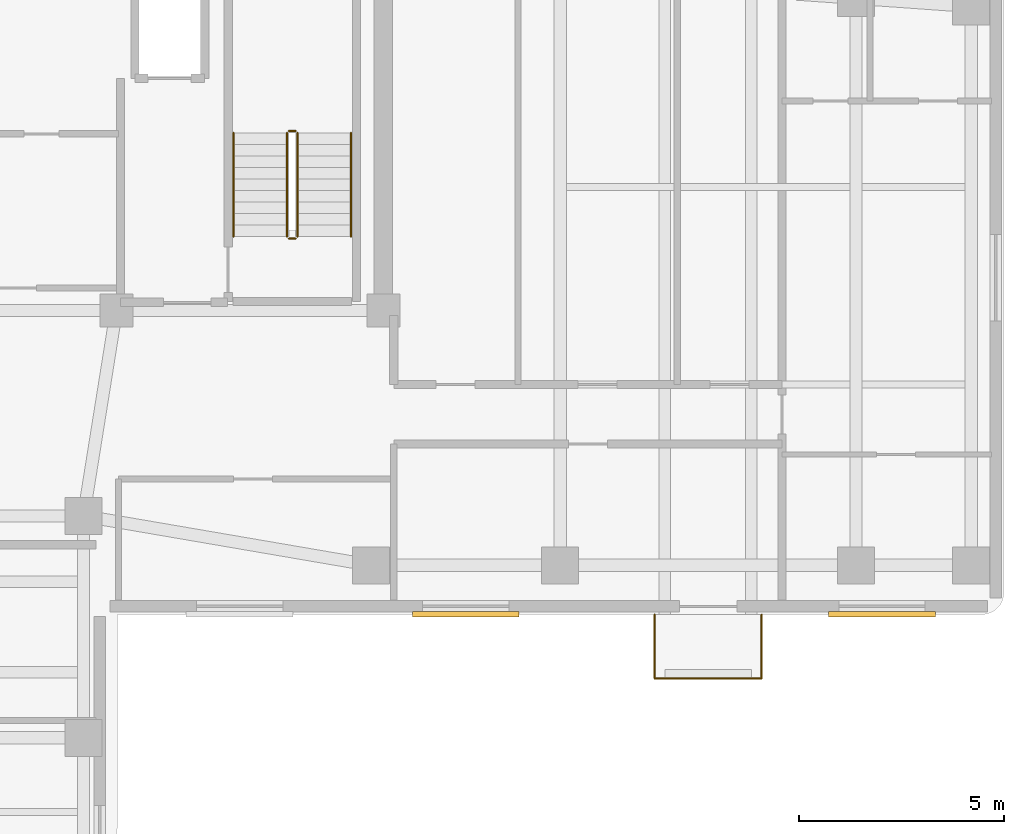
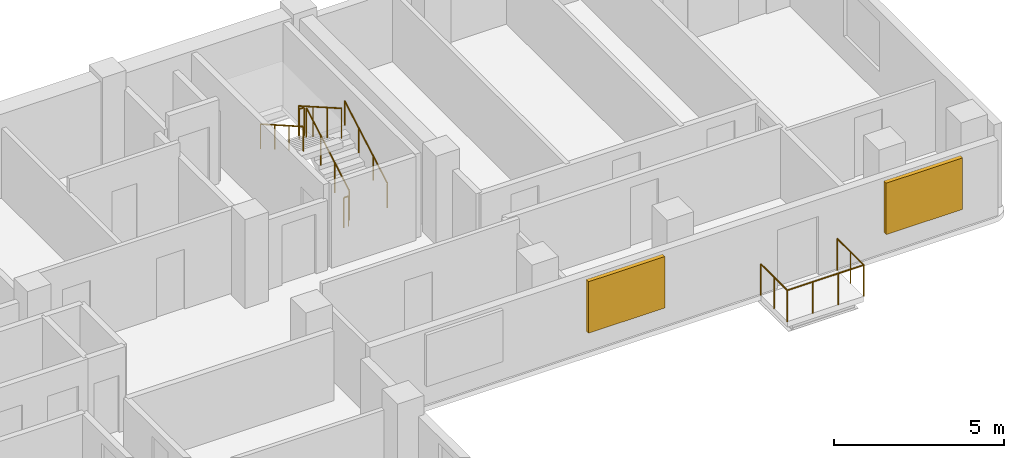
# One storey, part 7 of 7: 9 railings, 2 shading devices.
"""IFC4 building model written with IfcOpenShell, lengths in metres."""

from ifc_helpers import new_model, si_unit, direction, frame, origin, origin_2d, place, context, subcontext, project, spatial, rectangle, circle, extrude, material, layer, layer_set, type_object, element, save


model = new_model("IFC4")

# Units and contexts
model_context = context("Model", 3, precision=1e-05, world=origin(), true_north=direction((0.0, 1.0)))
body_context = subcontext(model_context, "Body", "Model", "MODEL_VIEW")
ifc_project = project(units=[si_unit("LENGTHUNIT", "METRE"), si_unit("AREAUNIT", "SQUARE_METRE"), si_unit("VOLUMEUNIT", "CUBIC_METRE"), si_unit("PLANEANGLEUNIT", "RADIAN"), si_unit("MASSUNIT", "GRAM", prefix="KILO")], contexts=[model_context])

# Site, building, storey
site_placement = place(None, origin())
site = spatial("IfcSite", under=ifc_project, at=site_placement, CompositionType="ELEMENT")
building_placement = place(site_placement, origin())
building = spatial("IfcBuilding", under=site, at=building_placement, Name="Kuzgunbayir Cultural Tower", CompositionType="ELEMENT")
storey_placement = place(building_placement, frame((0.0, 0.0, 198.39990234375)))
storey = spatial("IfcBuildingStorey", under=building, at=storey_placement, Name="L58", CompositionType="ELEMENT", Elevation=198.39990234375)

# Railings
ifc_material_1 = material(Name="Laminated Glass and Stainless Steel", Category="steel")
ifc_layer_1 = layer(ifc_material_1, 0.080078125)
ifc_layer_set_1 = layer_set([ifc_layer_1], Name="Laminated Glass and Stainless Steel")
railing_type_1 = type_object("IfcRailingType", Name="RLG-BAL-115", PredefinedType="BALUSTRADE", material=ifc_layer_set_1)
railing_1_placement = place(storey_placement, frame((33.5, 26.39990234375, 0.0)))
element("IfcRailing", 1, at=railing_1_placement, inside=storey, type_object=railing_type_1, Name="L58 Balcony Guard BAL-L58-WB2 Segment 1", PredefinedType="BALUSTRADE", context=body_context, shape_type="SweptSolid", body=[
    extrude(circle(Radius=0.02392578125, at=origin_2d()), frame((0.0, 0.0, 1.1259765625), z_axis=(0.0, -1.0, 0.0), x_axis=(1.0, 0.0, 0.0)), (0.0, 0.0, 1.0), 1.559814453125),
    extrude(circle(Radius=0.02099609375, at=origin_2d()), origin(), (0.0, 0.0, 1.0), 1.101806640625),
    extrude(circle(Radius=0.02099609375, at=origin_2d()), frame((0.0, -0.77978515625, 0.0)), (0.0, 0.0, 1.0), 1.101806640625),
    extrude(circle(Radius=0.02099609375, at=origin_2d()), frame((0.0, -1.559814453125, 0.0)), (0.0, 0.0, 1.0), 1.101806640625),
])
railing_2_placement = place(storey_placement, frame((33.5, 24.840087890625, 0.0)))
element("IfcRailing", 2, at=railing_2_placement, inside=storey, type_object=railing_type_1, Name="L58 Balcony Guard BAL-L58-WB2 Segment 2", PredefinedType="BALUSTRADE", context=body_context, shape_type="SweptSolid", body=[
    extrude(circle(Radius=0.02392578125, at=origin_2d()), frame((0.0, 0.0, 1.1259765625), z_axis=(1.0, 0.0, 0.0), x_axis=(0.0, 1.0, 0.0)), (0.0, 0.0, 1.0), 2.60009765625),
    extrude(circle(Radius=0.02099609375, at=origin_2d()), origin(), (0.0, 0.0, 1.0), 1.101806640625),
    extrude(circle(Radius=0.02099609375, at=origin_2d()), frame((0.86669921875, 0.0, 0.0)), (0.0, 0.0, 1.0), 1.101806640625),
    extrude(circle(Radius=0.02099609375, at=origin_2d()), frame((1.7333984375, 0.0, 0.0)), (0.0, 0.0, 1.0), 1.101806640625),
    extrude(circle(Radius=0.02099609375, at=origin_2d()), frame((2.60009765625, 0.0, 0.0)), (0.0, 0.0, 1.0), 1.101806640625),
])
railing_3_placement = place(storey_placement, frame((36.10009765625, 24.840087890625, 0.0)))
element("IfcRailing", 3, at=railing_3_placement, inside=storey, type_object=railing_type_1, Name="L58 Balcony Guard BAL-L58-WB2 Segment 3", PredefinedType="BALUSTRADE", context=body_context, shape_type="SweptSolid", body=[
    extrude(circle(Radius=0.02392578125, at=origin_2d()), frame((0.0, 0.0, 1.1259765625), z_axis=(0.0, 1.0, 0.0), x_axis=(-1.0, 0.0, 0.0)), (0.0, 0.0, 1.0), 1.559814453125),
    extrude(circle(Radius=0.02099609375, at=origin_2d()), origin(), (0.0, 0.0, 1.0), 1.101806640625),
    extrude(circle(Radius=0.02099609375, at=origin_2d()), frame((0.0, 0.77978515625, 0.0)), (0.0, 0.0, 1.0), 1.101806640625),
    extrude(circle(Radius=0.02099609375, at=origin_2d()), frame((0.0, 1.559814453125, 0.0)), (0.0, 0.0, 1.0), 1.101806640625),
])
ifc_material_2 = material(Name="Brushed Stainless Steel", Category="steel")
ifc_layer_2 = layer(ifc_material_2, 0.050048828125)
ifc_layer_set_2 = layer_set([ifc_layer_2], Name="Brushed Stainless Steel")
railing_type_2 = type_object("IfcRailingType", Name="RLG-STAIR-HANDRAIL", PredefinedType="HANDRAIL", material=ifc_layer_set_2)
railing_4_placement = place(storey_placement, frame((26.110107421875, 35.60009765625, 0.16015625)))
element("IfcRailing", 4, at=railing_4_placement, inside=storey, type_object=railing_type_2, Name="L58 ST-2 stair handrail 1", PredefinedType="HANDRAIL", context=body_context, shape_type="SweptSolid", body=[
    extrude(circle(Radius=0.02392578125, at=origin_2d()), frame((0.0, 0.0, 0.8759765625), z_axis=(0.0, 0.868253494771, 0.496120820787), x_axis=(-1.0, 0.0, 0.0)), (0.0, 0.0, 1.0), 2.90234375),
    extrude(circle(Radius=0.02099609375, at=origin_2d()), origin(), (0.0, 0.0, 1.0), 0.851806640625),
    extrude(circle(Radius=0.02099609375, at=origin_2d()), frame((0.0, 0.840087890625, 0.47998046875)), (0.0, 0.0, 1.0), 0.851806640625),
    extrude(circle(Radius=0.02099609375, at=origin_2d()), frame((0.0, 1.679931640625, 0.9599609375)), (0.0, 0.0, 1.0), 0.851806640625),
    extrude(circle(Radius=0.02099609375, at=origin_2d()), frame((0.0, 2.52001953125, 1.43994140625)), (0.0, 0.0, 1.0), 0.851806640625),
])
railing_5_placement = place(storey_placement, frame((23.25, 38.1201171875, 1.760009765625)))
element("IfcRailing", 5, at=railing_5_placement, inside=storey, type_object=railing_type_2, Name="L58 ST-2 stair handrail 2", PredefinedType="HANDRAIL", context=body_context, shape_type="SweptSolid", body=[
    extrude(circle(Radius=0.02392578125, at=origin_2d()), frame((0.0, 0.0, 0.8759765625), z_axis=(0.0, -0.868217259934, 0.496184229447), x_axis=(1.0, 0.0, 0.0)), (0.0, 0.0, 1.0), 2.902587890625),
    extrude(circle(Radius=0.02099609375, at=origin_2d()), origin(), (0.0, 0.0, 1.0), 0.851806640625),
    extrude(circle(Radius=0.02099609375, at=origin_2d()), frame((0.0, -0.840087890625, 0.47998046875)), (0.0, 0.0, 1.0), 0.851806640625),
    extrude(circle(Radius=0.02099609375, at=origin_2d()), frame((0.0, -1.679931640625, 0.960205078125)), (0.0, 0.0, 1.0), 0.851806640625),
    extrude(circle(Radius=0.02099609375, at=origin_2d()), frame((0.0, -2.52001953125, 1.440185546875)), (0.0, 0.0, 1.0), 0.851806640625),
])
ifc_material_3 = material(Name="Painted Steel Balustrade", Category="steel")
ifc_layer_3 = layer(ifc_material_3, 0.06005859375)
ifc_layer_set_3 = layer_set([ifc_layer_3], Name="Painted Steel Balustrade")
railing_type_3 = type_object("IfcRailingType", Name="RLG-WELL-GUARD", PredefinedType="GUARDRAIL", material=ifc_layer_set_3)
railing_6_placement = place(storey_placement, frame((24.81005859375, 35.60009765625, 0.16015625)))
element("IfcRailing", 6, at=railing_6_placement, inside=storey, type_object=railing_type_3, Name="L58 ST-2 stair guard 1", PredefinedType="GUARDRAIL", context=body_context, shape_type="SweptSolid", body=[
    extrude(circle(Radius=0.02392578125, at=origin_2d()), frame((0.0, 0.0, 1.076171875), z_axis=(0.0, 0.868253494771, 0.496120820787), x_axis=(-1.0, 0.0, 0.0)), (0.0, 0.0, 1.0), 2.90234375),
    extrude(circle(Radius=0.02099609375, at=origin_2d()), origin(), (0.0, 0.0, 1.0), 1.052001953125),
    extrude(circle(Radius=0.02099609375, at=origin_2d()), frame((0.0, 0.840087890625, 0.47998046875)), (0.0, 0.0, 1.0), 1.052001953125),
    extrude(circle(Radius=0.02099609375, at=origin_2d()), frame((0.0, 1.679931640625, 0.9599609375)), (0.0, 0.0, 1.0), 1.052001953125),
    extrude(circle(Radius=0.02099609375, at=origin_2d()), frame((0.0, 2.52001953125, 1.43994140625)), (0.0, 0.0, 1.0), 1.052001953125),
])
railing_7_placement = place(storey_placement, frame((24.760009765625, 38.169921875, 1.60009765625)))
element("IfcRailing", 7, at=railing_7_placement, inside=storey, type_object=railing_type_3, Name="L58 ST-2 stair guard 2", PredefinedType="GUARDRAIL", context=body_context, shape_type="SweptSolid", body=[
    extrude(circle(Radius=0.02392578125, at=origin_2d()), frame((0.0, 0.0, 1.076171875), z_axis=(-1.0, 0.0, 0.0), x_axis=(0.0, -1.0, 0.0)), (0.0, 0.0, 1.0), 0.159912109375),
    extrude(circle(Radius=0.02099609375, at=origin_2d()), origin(), (0.0, 0.0, 1.0), 1.052001953125),
    extrude(circle(Radius=0.02099609375, at=origin_2d()), frame((-0.159912109375, 0.0, 0.0)), (0.0, 0.0, 1.0), 1.052001953125),
])
railing_8_placement = place(storey_placement, frame((24.550048828125, 38.1201171875, 1.760009765625)))
element("IfcRailing", 8, at=railing_8_placement, inside=storey, type_object=railing_type_3, Name="L58 ST-2 stair guard 3", PredefinedType="GUARDRAIL", context=body_context, shape_type="SweptSolid", body=[
    extrude(circle(Radius=0.02392578125, at=origin_2d()), frame((0.0, 0.0, 1.076171875), z_axis=(0.0, -0.868217259934, 0.496184229447), x_axis=(1.0, 0.0, 0.0)), (0.0, 0.0, 1.0), 2.902587890625),
    extrude(circle(Radius=0.02099609375, at=origin_2d()), origin(), (0.0, 0.0, 1.0), 1.052001953125),
    extrude(circle(Radius=0.02099609375, at=origin_2d()), frame((0.0, -0.840087890625, 0.47998046875)), (0.0, 0.0, 1.0), 1.052001953125),
    extrude(circle(Radius=0.02099609375, at=origin_2d()), frame((0.0, -1.679931640625, 0.960205078125)), (0.0, 0.0, 1.0), 1.052001953125),
    extrude(circle(Radius=0.02099609375, at=origin_2d()), frame((0.0, -2.52001953125, 1.440185546875)), (0.0, 0.0, 1.0), 1.052001953125),
])
railing_9_placement = place(storey_placement, frame((24.760009765625, 35.550048828125, 0.0)))
element("IfcRailing", 9, at=railing_9_placement, inside=storey, type_object=railing_type_3, Name="L58 ST-2 stair guard 4", PredefinedType="GUARDRAIL", context=body_context, shape_type="SweptSolid", body=[
    extrude(circle(Radius=0.02392578125, at=origin_2d()), frame((0.0, 0.0, 1.076171875), z_axis=(-1.0, 0.0, 0.0), x_axis=(0.0, -1.0, 0.0)), (0.0, 0.0, 1.0), 0.159912109375),
    extrude(circle(Radius=0.02099609375, at=origin_2d()), origin(), (0.0, 0.0, 1.0), 1.052001953125),
    extrude(circle(Radius=0.02099609375, at=origin_2d()), frame((-0.159912109375, 0.0, 0.0)), (0.0, 0.0, 1.0), 1.052001953125),
])

# Shading devices
ifc_material_4 = material(Name="Perforated Bronze-Anodised Aluminium", Category="aluminium")
shading_device_type = type_object("IfcShadingDeviceType", Name="SHD-SOLAR-BRONZE", PredefinedType="JALOUSIE", material=ifc_material_4)
for number, where, z_axis, x_axis, name in (
    (10, (39.030029296875, 26.409912109375, 0.735107421875), (0.0, 0.0, 1.0), (1.0, 0.0, 0.0), "L58 Solar Screen WBS6"),
    (11, (28.89990234375, 26.409912109375, 0.735107421875), (0.0, 0.0, 1.0), (1.0, 0.0, 0.0), "L58 Solar Screen WBS14"),
):
    element("IfcShadingDevice", number, at=place(storey_placement, frame(where, z_axis=z_axis, x_axis=x_axis)), inside=storey, type_object=shading_device_type, Name=name, PredefinedType="JALOUSIE", context=body_context, shape_type="SweptSolid", body=[
        extrude(rectangle(XDim=2.60009765625, YDim=0.139892578125, at=origin_2d()), origin(), (0.0, 0.0, 1.0), 1.85009765625),
    ])

save(model, "model.ifc")
